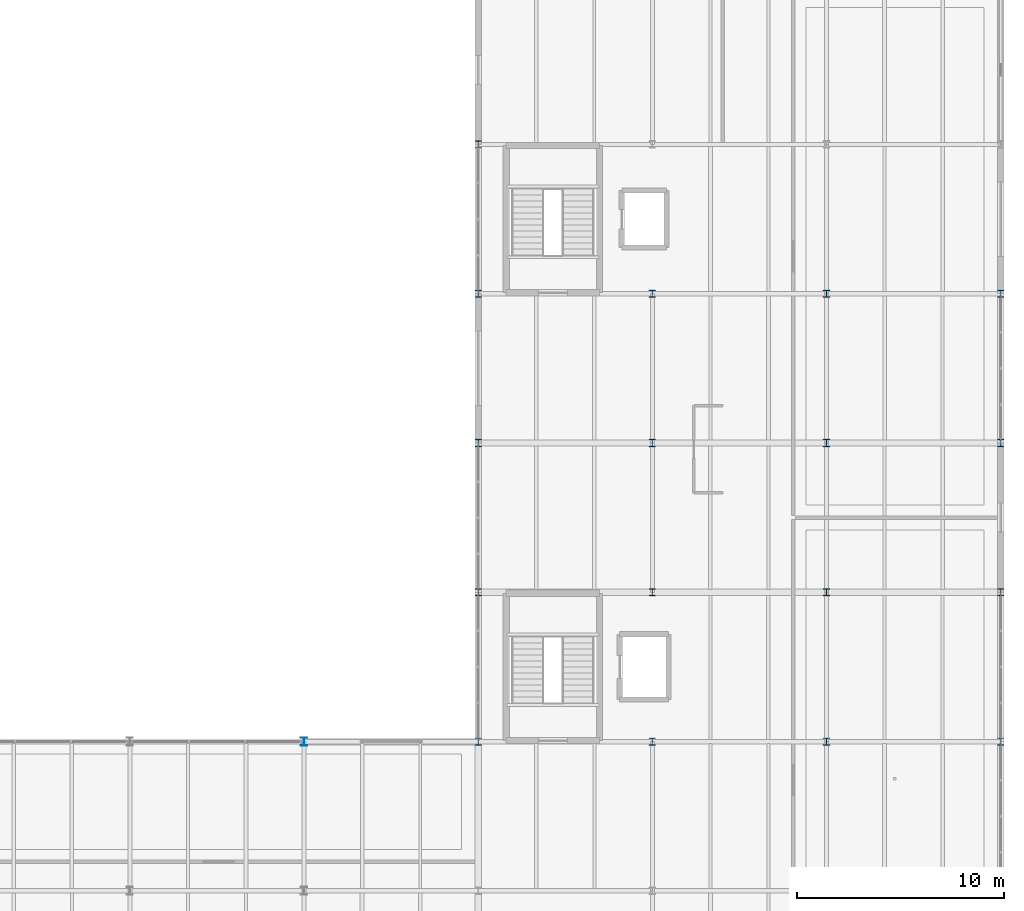
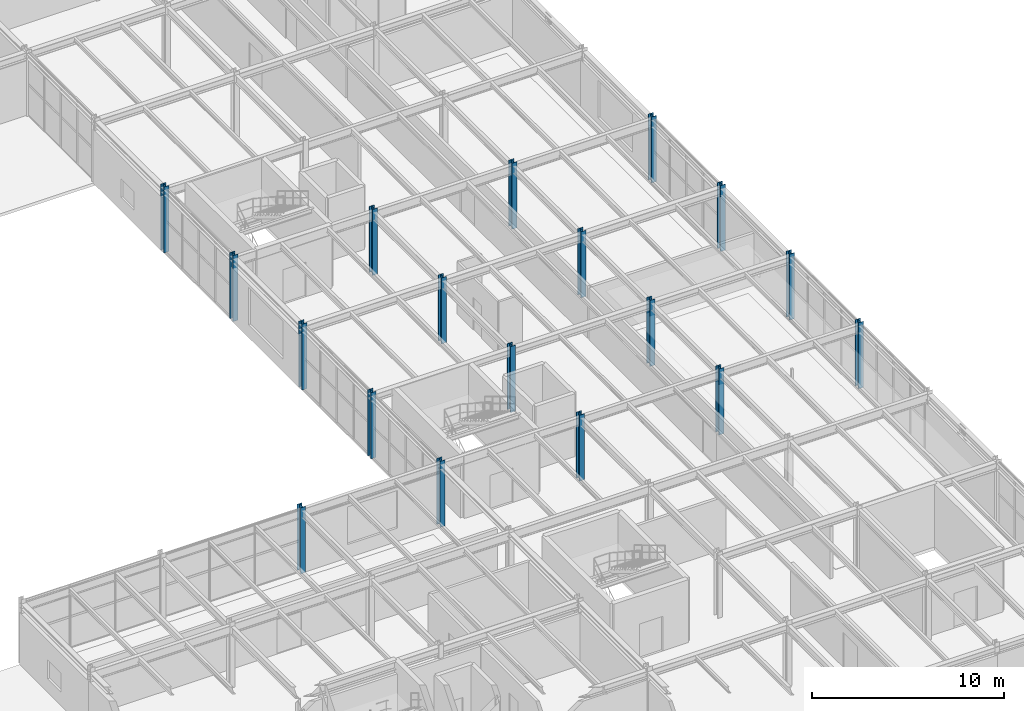
# One storey, part 14 of 73: 18 columns.
"""IFC4 building model written with IfcOpenShell, lengths in metres."""

from ifc_helpers import new_model, si_unit, derived_unit, direction, frame, origin, origin_2d, place, context, subcontext, project, spatial, i_section, extrude, material, material_profile, profile_set, type_object, element, save


model = new_model("IFC4")

# Units and contexts
model_context = context("Model", 3, precision=1e-05, world=origin(), true_north=direction((0.0, 1.0)))
body_context = subcontext(model_context, "Body", "Model", "MODEL_VIEW")
ifc_project = project(units=[si_unit("LENGTHUNIT", "METRE"), si_unit("AREAUNIT", "SQUARE_METRE"), si_unit("VOLUMEUNIT", "CUBIC_METRE"), si_unit("PLANEANGLEUNIT", "RADIAN"), si_unit("MASSUNIT", "GRAM", prefix="KILO"), derived_unit("THERMALTRANSMITTANCEUNIT", [(si_unit("MASSUNIT", "GRAM", prefix="KILO"), 1), (si_unit("TIMEUNIT", "SECOND"), -3), (si_unit("THERMODYNAMICTEMPERATUREUNIT", "KELVIN"), -1)])], contexts=[model_context])

# Site, building, storey
site_placement = place(None, origin())
site = spatial("IfcSite", under=ifc_project, at=site_placement, CompositionType="ELEMENT")
building_placement = place(site_placement, origin())
building = spatial("IfcBuilding", under=site, at=building_placement, Name="Kharveza Railside Sports Centre", CompositionType="ELEMENT")
storey_placement = place(building_placement, frame((0.0, 0.0, 8.699951171875)))
storey = spatial("IfcBuildingStorey", under=building, at=storey_placement, Name="L02", CompositionType="ELEMENT", Elevation=8.699951171875)

# Columns
ifc_material = material(Name="Steel S355J2", Category="steel")
ifc_material_profile_1 = material_profile(ifc_material, i_section(OverallWidth=0.300048828125, OverallDepth=0.340087890625, WebThickness=0.011962890625, FlangeThickness=0.021484375, FilletRadius=0.027099609375, at=origin_2d()), Name="HEB 340")
ifc_profile_set_1 = profile_set([ifc_material_profile_1], Name="Steel S355J2")
column_type_1 = type_object("IfcColumnType", Name="COL-S06", PredefinedType="COLUMN", material=ifc_profile_set_1)
for number, where, z_axis, x_axis, name in (
    (1, (142.800048828125, 36.0, 0.0), (0.0, 0.0, 1.0), (1.0, 0.0, 0.0), "COL-G-C06-X1428-Y360-L02"),
    (2, (142.800048828125, 43.199951171875, 0.0), (0.0, 0.0, 1.0), (1.0, 0.0, 0.0), "COL-G-C06-X1428-Y432-L02"),
    (3, (142.800048828125, 50.39990234375, 0.0), (0.0, 0.0, 1.0), (1.0, 0.0, 0.0), "COL-G-C06-X1428-Y504-L02"),
    (4, (142.800048828125, 57.60009765625, 0.0), (0.0, 0.0, 1.0), (1.0, 0.0, 0.0), "COL-G-C06-X1428-Y576-L02"),
    (5, (142.800048828125, 64.800048828125, 0.0), (0.0, 0.0, 1.0), (1.0, 0.0, 0.0), "COL-G-C06-X1428-Y648-L02"),
    (6, (151.199951171875, 36.0, 0.0), (0.0, 0.0, 1.0), (1.0, 0.0, 0.0), "COL-G-C06-X1512-Y360-L02"),
    (7, (151.199951171875, 43.199951171875, 0.0), (0.0, 0.0, 1.0), (1.0, 0.0, 0.0), "COL-G-C06-X1512-Y432-L02"),
    (8, (151.199951171875, 50.39990234375, 0.0), (0.0, 0.0, 1.0), (1.0, 0.0, 0.0), "COL-G-C06-X1512-Y504-L02"),
    (9, (151.199951171875, 57.60009765625, 0.0), (0.0, 0.0, 1.0), (1.0, 0.0, 0.0), "COL-G-C06-X1512-Y576-L02"),
    (10, (159.60009765625, 36.0, 0.0), (0.0, 0.0, 1.0), (1.0, 0.0, 0.0), "COL-G-C06-X1596-Y360-L02"),
    (11, (159.60009765625, 43.199951171875, 0.0), (0.0, 0.0, 1.0), (1.0, 0.0, 0.0), "COL-G-C06-X1596-Y432-L02"),
    (12, (159.60009765625, 50.39990234375, 0.0), (0.0, 0.0, 1.0), (1.0, 0.0, 0.0), "COL-G-C06-X1596-Y504-L02"),
    (13, (159.60009765625, 57.60009765625, 0.0), (0.0, 0.0, 1.0), (1.0, 0.0, 0.0), "COL-G-C06-X1596-Y576-L02"),
    (14, (168.0, 36.0, 0.0), (0.0, 0.0, 1.0), (1.0, 0.0, 0.0), "COL-G-C06-X1680-Y360-L02"),
    (15, (168.0, 43.199951171875, 0.0), (0.0, 0.0, 1.0), (1.0, 0.0, 0.0), "COL-G-C06-X1680-Y432-L02"),
    (16, (168.0, 50.39990234375, 0.0), (0.0, 0.0, 1.0), (1.0, 0.0, 0.0), "COL-G-C06-X1680-Y504-L02"),
    (17, (168.0, 57.60009765625, 0.0), (0.0, 0.0, 1.0), (1.0, 0.0, 0.0), "COL-G-C06-X1680-Y576-L02"),
):
    element("IfcColumn", number, at=place(storey_placement, frame(where, z_axis=z_axis, x_axis=x_axis)), inside=storey, type_object=column_type_1, Name=name, PredefinedType="COLUMN", context=body_context, shape_type="SweptSolid", body=[
        extrude(i_section(OverallWidth=0.300048828125, OverallDepth=0.340087890625, WebThickness=0.011962890625, FlangeThickness=0.021484375, FilletRadius=0.027099609375, at=origin_2d()), origin(), (0.0, 0.0, 1.0), 4.199951171875),
    ])
ifc_material_profile_2 = material_profile(ifc_material, i_section(OverallWidth=0.300048828125, OverallDepth=0.389892578125, WebThickness=0.010986328125, FlangeThickness=0.01904296875, FilletRadius=0.027099609375, at=origin_2d()), Name="HEA 400")
ifc_profile_set_2 = profile_set([ifc_material_profile_2], Name="Steel S355J2")
column_type_2 = type_object("IfcColumnType", Name="COL-S10", PredefinedType="COLUMN", material=ifc_profile_set_2)
column_placement = place(storey_placement, frame((134.39990234375, 36.0, 0.0), z_axis=(0.0, 0.0, 1.0), x_axis=(1.0, 0.0, 0.0)))
element("IfcColumn", 18, at=column_placement, inside=storey, type_object=column_type_2, Name="COL-G-C10-X1344-Y360-L02", PredefinedType="COLUMN", context=body_context, shape_type="SweptSolid", body=[
    extrude(i_section(OverallWidth=0.300048828125, OverallDepth=0.389892578125, WebThickness=0.010986328125, FlangeThickness=0.01904296875, FilletRadius=0.027099609375, at=origin_2d()), origin(), (0.0, 0.0, 1.0), 4.199951171875),
])

save(model, "model.ifc")
